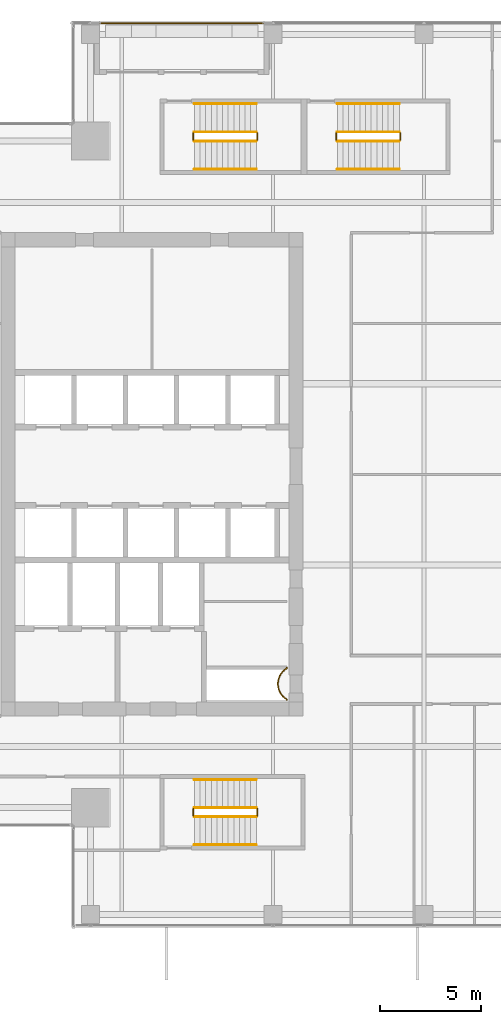
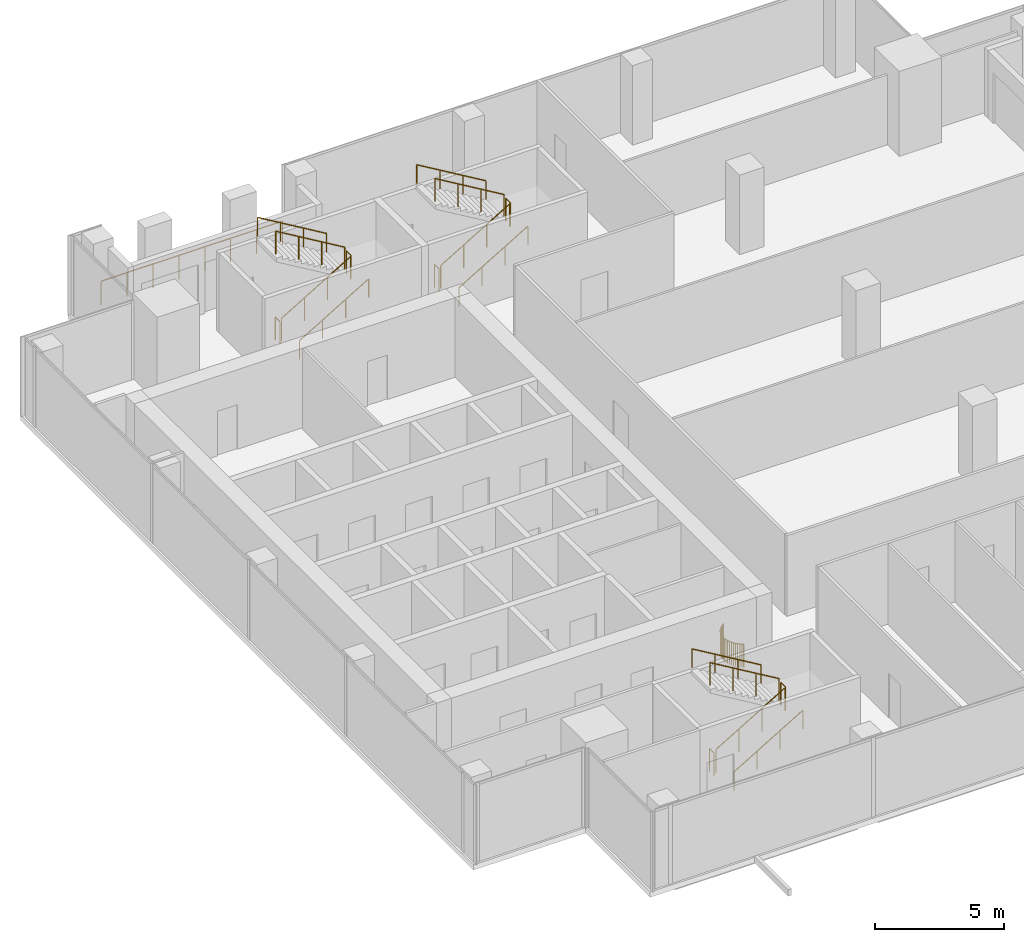
# One storey, part 32 of 34: 20 railings.
"""IFC4 building model written with IfcOpenShell, lengths in metres."""

from ifc_helpers import new_model, si_unit, direction, frame, origin, origin_2d, place, context, subcontext, project, spatial, circle, extrude, source, transform, mapped, material, type_object, element, save


model = new_model("IFC4")

# Units and contexts
model_context = context("Model", 3, precision=1e-05, world=origin(), true_north=direction((0.0, 1.0)))
body_context = subcontext(model_context, "Body", "Model", "MODEL_VIEW")
ifc_project = project(units=[si_unit("LENGTHUNIT", "METRE"), si_unit("AREAUNIT", "SQUARE_METRE"), si_unit("VOLUMEUNIT", "CUBIC_METRE"), si_unit("PLANEANGLEUNIT", "RADIAN"), si_unit("MASSUNIT", "GRAM", prefix="KILO")], contexts=[model_context])

# Site, building, storey
site_placement = place(None, origin())
site = spatial("IfcSite", under=ifc_project, at=site_placement, CompositionType="ELEMENT")
building_placement = place(site_placement, origin())
building = spatial("IfcBuilding", under=site, at=building_placement, Name="Khomas Fold Tower", CompositionType="ELEMENT")
storey_placement = place(building_placement, frame((0.0, 0.0, 254.199951171875)))
storey = spatial("IfcBuildingStorey", under=building, at=storey_placement, Name="L57", CompositionType="ELEMENT", Elevation=254.199951171875)

# Railings
ifc_material_1 = material(Name="Powder-coated steel", Category="steel")
railing_type_1 = type_object("IfcRailingType", Name="Balcony guard", PredefinedType="GUARDRAIL", material=ifc_material_1)
shared_shape_1 = source(origin(), body_context, "Body", "SweptSolid", [
    extrude(circle(Radius=0.02490234375, at=origin_2d()), frame((0.0, 0.0, 1.125), z_axis=(1.0, 0.0, 0.0), x_axis=(0.0, 1.0, 0.0)), (0.0, 0.0, 1.0), 8.090087890625),
    extrude(circle(Radius=0.02001953125, at=origin_2d()), origin(), (0.0, 0.0, 1.0), 1.099853515625),
    extrude(circle(Radius=0.02001953125, at=origin_2d()), frame((1.15576171875, 0.0, 0.0)), (0.0, 0.0, 1.0), 1.099853515625),
    extrude(circle(Radius=0.02001953125, at=origin_2d()), frame((2.3115234375, 0.0, 0.0)), (0.0, 0.0, 1.0), 1.099853515625),
    extrude(circle(Radius=0.02001953125, at=origin_2d()), frame((3.46728515625, 0.0, 0.0)), (0.0, 0.0, 1.0), 1.099853515625),
    extrude(circle(Radius=0.02001953125, at=origin_2d()), frame((4.622802734375, 0.0, 0.0)), (0.0, 0.0, 1.0), 1.099853515625),
    extrude(circle(Radius=0.02001953125, at=origin_2d()), frame((5.778564453125, 0.0, 0.0)), (0.0, 0.0, 1.0), 1.099853515625),
    extrude(circle(Radius=0.02001953125, at=origin_2d()), frame((6.934326171875, 0.0, 0.0)), (0.0, 0.0, 1.0), 1.099853515625),
    extrude(circle(Radius=0.02001953125, at=origin_2d()), frame((8.090087890625, 0.0, 0.0)), (0.0, 0.0, 1.0), 1.099853515625),
])
railing_1_placement = place(storey_placement, frame((10.929931640625, 49.39990234375, -0.044921875)))
element("IfcRailing", 1, at=railing_1_placement, inside=storey, type_object=railing_type_1, Name="Balcony guard BAL-L57-N1", PredefinedType="GUARDRAIL", context=body_context, shape_type="MappedRepresentation", body=[
    mapped(shared_shape_1, transform((0.0, 0.0, 0.0))),
])
ifc_material_2 = material(Name="Steel balustrade", Category="steel")
railing_type_2 = type_object("IfcRailingType", Name="Stair guard", PredefinedType="GUARDRAIL", material=ifc_material_2)
shared_shape_2 = source(origin(), body_context, "Body", "SweptSolid", [
    extrude(circle(Radius=0.02392578125, at=origin_2d()), frame((0.0, 0.0, 1.076171875), z_axis=(0.0, 1.0, 0.0), x_axis=(-1.0, 0.0, 0.0)), (0.0, 0.0, 1.0), 0.349853515625),
    extrude(circle(Radius=0.02099609375, at=origin_2d()), origin(), (0.0, 0.0, 1.0), 1.052001953125),
    extrude(circle(Radius=0.02099609375, at=origin_2d()), frame((0.0, 0.349853515625, 0.0)), (0.0, 0.0, 1.0), 1.052001953125),
])
for number, where, name in (
    (2, (18.72998046875, 43.60009765625, 2.0), "L57 ST1 stair guard 2"),
    (3, (15.550048828125, 43.60009765625, 0.0), "L57 ST1 stair guard 4"),
    (4, (18.72998046875, 10.050048828125, 2.0), "L57 ST2 stair guard 2"),
    (5, (15.550048828125, 10.050048828125, 0.0), "L57 ST2 stair guard 4"),
    (6, (25.830078125, 43.60009765625, 2.0), "L57 ST3 stair guard 2"),
    (7, (22.64990234375, 43.60009765625, 0.0), "L57 ST3 stair guard 4"),
):
    element("IfcRailing", number, at=place(storey_placement, frame(where)), inside=storey, type_object=railing_type_2, Name=name, PredefinedType="GUARDRAIL", context=body_context, shape_type="MappedRepresentation", body=[
        mapped(shared_shape_2, transform((0.0, 0.0, 0.0))),
    ])
shared_shape_3 = source(origin(), body_context, "Body", "SweptSolid", [
    extrude(circle(Radius=0.02392578125, at=origin_2d()), frame((0.0, 0.0, 1.076171875), z_axis=(0.859290745958, 0.0, 0.51148745235), x_axis=(0.0, 1.0, 0.0)), (0.0, 0.0, 1.0), 3.584228515625),
    extrude(circle(Radius=0.02099609375, at=origin_2d()), origin(), (0.0, 0.0, 1.0), 1.052001953125),
    extrude(circle(Radius=0.02099609375, at=origin_2d()), frame((1.026611328125, 0.0, 0.611083984375)), (0.0, 0.0, 1.0), 1.052001953125),
    extrude(circle(Radius=0.02099609375, at=origin_2d()), frame((2.05322265625, 0.0, 1.22216796875)), (0.0, 0.0, 1.0), 1.052001953125),
    extrude(circle(Radius=0.02099609375, at=origin_2d()), frame((3.079833984375, 0.0, 1.833251953125)), (0.0, 0.0, 1.0), 1.052001953125),
])
for number, where, name in (
    (8, (15.60009765625, 43.550048828125, 0.166748046875), "L57 ST1 stair guard 1"),
    (9, (15.60009765625, 10.0, 0.166748046875), "L57 ST2 stair guard 1"),
):
    element("IfcRailing", number, at=place(storey_placement, frame(where)), inside=storey, type_object=railing_type_2, Name=name, PredefinedType="GUARDRAIL", context=body_context, shape_type="MappedRepresentation", body=[
        mapped(shared_shape_3, transform((0.0, 0.0, 0.0))),
    ])
shared_shape_4 = source(origin(), body_context, "Body", "SweptSolid", [
    extrude(circle(Radius=0.02392578125, at=origin_2d()), frame((0.0, 0.0, 1.076171875), z_axis=(-0.859290745958, 0.0, 0.51148745235), x_axis=(0.0, -1.0, 0.0)), (0.0, 0.0, 1.0), 3.584228515625),
    extrude(circle(Radius=0.02099609375, at=origin_2d()), origin(), (0.0, 0.0, 1.0), 1.052001953125),
    extrude(circle(Radius=0.02099609375, at=origin_2d()), frame((-1.026611328125, 0.0, 0.611083984375)), (0.0, 0.0, 1.0), 1.052001953125),
    extrude(circle(Radius=0.02099609375, at=origin_2d()), frame((-2.05322265625, 0.0, 1.22216796875)), (0.0, 0.0, 1.0), 1.052001953125),
    extrude(circle(Radius=0.02099609375, at=origin_2d()), frame((-3.079833984375, 0.0, 1.833251953125)), (0.0, 0.0, 1.0), 1.052001953125),
])
for number, where, name in (
    (10, (18.679931640625, 44.0, 2.166748046875), "L57 ST1 stair guard 3"),
    (11, (18.679931640625, 10.449951171875, 2.166748046875), "L57 ST2 stair guard 3"),
):
    element("IfcRailing", number, at=place(storey_placement, frame(where)), inside=storey, type_object=railing_type_2, Name=name, PredefinedType="GUARDRAIL", context=body_context, shape_type="MappedRepresentation", body=[
        mapped(shared_shape_4, transform((0.0, 0.0, 0.0))),
    ])
ifc_material_3 = material(Name="Steel handrail", Category="steel")
railing_type_3 = type_object("IfcRailingType", Name="Stair handrail", PredefinedType="HANDRAIL", material=ifc_material_3)
shared_shape_5 = source(origin(), body_context, "Body", "SweptSolid", [
    extrude(circle(Radius=0.02392578125, at=origin_2d()), frame((0.0, 0.0, 0.8759765625), z_axis=(0.859290745958, 0.0, 0.51148745235), x_axis=(0.0, 1.0, 0.0)), (0.0, 0.0, 1.0), 3.584228515625),
    extrude(circle(Radius=0.02099609375, at=origin_2d()), origin(), (0.0, 0.0, 1.0), 0.851806640625),
    extrude(circle(Radius=0.02099609375, at=origin_2d()), frame((1.026611328125, 0.0, 0.611083984375)), (0.0, 0.0, 1.0), 0.851806640625),
    extrude(circle(Radius=0.02099609375, at=origin_2d()), frame((2.05322265625, 0.0, 1.22216796875)), (0.0, 0.0, 1.0), 0.851806640625),
    extrude(circle(Radius=0.02099609375, at=origin_2d()), frame((3.079833984375, 0.0, 1.833251953125)), (0.0, 0.0, 1.0), 0.851806640625),
])
for number, where, name in (
    (12, (15.60009765625, 42.14990234375, 0.166748046875), "L57 ST1 stair handrail 1"),
    (13, (15.60009765625, 8.60009765625, 0.166748046875), "L57 ST2 stair handrail 1"),
):
    element("IfcRailing", number, at=place(storey_placement, frame(where)), inside=storey, type_object=railing_type_3, Name=name, PredefinedType="HANDRAIL", context=body_context, shape_type="MappedRepresentation", body=[
        mapped(shared_shape_5, transform((0.0, 0.0, 0.0))),
    ])
shared_shape_6 = source(origin(), body_context, "Body", "SweptSolid", [
    extrude(circle(Radius=0.02392578125, at=origin_2d()), frame((0.0, 0.0, 0.8759765625), z_axis=(-0.859290745958, 0.0, 0.51148745235), x_axis=(0.0, -1.0, 0.0)), (0.0, 0.0, 1.0), 3.584228515625),
    extrude(circle(Radius=0.02099609375, at=origin_2d()), origin(), (0.0, 0.0, 1.0), 0.851806640625),
    extrude(circle(Radius=0.02099609375, at=origin_2d()), frame((-1.026611328125, 0.0, 0.611083984375)), (0.0, 0.0, 1.0), 0.851806640625),
    extrude(circle(Radius=0.02099609375, at=origin_2d()), frame((-2.05322265625, 0.0, 1.22216796875)), (0.0, 0.0, 1.0), 0.851806640625),
    extrude(circle(Radius=0.02099609375, at=origin_2d()), frame((-3.079833984375, 0.0, 1.833251953125)), (0.0, 0.0, 1.0), 0.851806640625),
])
for number, where, name in (
    (14, (18.679931640625, 45.39990234375, 2.166748046875), "L57 ST1 stair handrail 2"),
    (15, (18.679931640625, 11.85009765625, 2.166748046875), "L57 ST2 stair handrail 2"),
):
    element("IfcRailing", number, at=place(storey_placement, frame(where)), inside=storey, type_object=railing_type_3, Name=name, PredefinedType="HANDRAIL", context=body_context, shape_type="MappedRepresentation", body=[
        mapped(shared_shape_6, transform((0.0, 0.0, 0.0))),
    ])
shared_shape_7 = source(origin(), body_context, "Body", "SweptSolid", [
    extrude(circle(Radius=0.02392578125, at=origin_2d()), frame((0.0, 0.0, 1.076171875), z_axis=(0.859308565015, 0.0, 0.511457515432), x_axis=(0.0, 1.0, 0.0)), (0.0, 0.0, 1.0), 3.58447265625),
    extrude(circle(Radius=0.02099609375, at=origin_2d()), origin(), (0.0, 0.0, 1.0), 1.052001953125),
    extrude(circle(Radius=0.02099609375, at=origin_2d()), frame((1.026611328125, 0.0, 0.611083984375)), (0.0, 0.0, 1.0), 1.052001953125),
    extrude(circle(Radius=0.02099609375, at=origin_2d()), frame((2.053466796875, 0.0, 1.22216796875)), (0.0, 0.0, 1.0), 1.052001953125),
    extrude(circle(Radius=0.02099609375, at=origin_2d()), frame((3.080078125, 0.0, 1.833251953125)), (0.0, 0.0, 1.0), 1.052001953125),
])
railing_2_placement = place(storey_placement, frame((22.699951171875, 43.550048828125, 0.166748046875)))
element("IfcRailing", 16, at=railing_2_placement, inside=storey, type_object=railing_type_2, Name="L57 ST3 stair guard 1", PredefinedType="GUARDRAIL", context=body_context, shape_type="MappedRepresentation", body=[
    mapped(shared_shape_7, transform((0.0, 0.0, 0.0))),
])
shared_shape_8 = source(origin(), body_context, "Body", "SweptSolid", [
    extrude(circle(Radius=0.02392578125, at=origin_2d()), frame((0.0, 0.0, 1.076171875), z_axis=(-0.859308565015, 0.0, 0.511457515432), x_axis=(0.0, -1.0, 0.0)), (0.0, 0.0, 1.0), 3.58447265625),
    extrude(circle(Radius=0.02099609375, at=origin_2d()), origin(), (0.0, 0.0, 1.0), 1.052001953125),
    extrude(circle(Radius=0.02099609375, at=origin_2d()), frame((-1.026611328125, 0.0, 0.611083984375)), (0.0, 0.0, 1.0), 1.052001953125),
    extrude(circle(Radius=0.02099609375, at=origin_2d()), frame((-2.053466796875, 0.0, 1.22216796875)), (0.0, 0.0, 1.0), 1.052001953125),
    extrude(circle(Radius=0.02099609375, at=origin_2d()), frame((-3.080078125, 0.0, 1.833251953125)), (0.0, 0.0, 1.0), 1.052001953125),
])
railing_3_placement = place(storey_placement, frame((25.780029296875, 44.0, 2.166748046875)))
element("IfcRailing", 17, at=railing_3_placement, inside=storey, type_object=railing_type_2, Name="L57 ST3 stair guard 3", PredefinedType="GUARDRAIL", context=body_context, shape_type="MappedRepresentation", body=[
    mapped(shared_shape_8, transform((0.0, 0.0, 0.0))),
])
shared_shape_9 = source(origin(), body_context, "Body", "SweptSolid", [
    extrude(circle(Radius=0.02392578125, at=origin_2d()), frame((0.0, 0.0, 0.8759765625), z_axis=(0.859308565015, 0.0, 0.511457515432), x_axis=(0.0, 1.0, 0.0)), (0.0, 0.0, 1.0), 3.58447265625),
    extrude(circle(Radius=0.02099609375, at=origin_2d()), origin(), (0.0, 0.0, 1.0), 0.851806640625),
    extrude(circle(Radius=0.02099609375, at=origin_2d()), frame((1.026611328125, 0.0, 0.611083984375)), (0.0, 0.0, 1.0), 0.851806640625),
    extrude(circle(Radius=0.02099609375, at=origin_2d()), frame((2.053466796875, 0.0, 1.22216796875)), (0.0, 0.0, 1.0), 0.851806640625),
    extrude(circle(Radius=0.02099609375, at=origin_2d()), frame((3.080078125, 0.0, 1.833251953125)), (0.0, 0.0, 1.0), 0.851806640625),
])
railing_4_placement = place(storey_placement, frame((22.699951171875, 42.14990234375, 0.166748046875)))
element("IfcRailing", 18, at=railing_4_placement, inside=storey, type_object=railing_type_3, Name="L57 ST3 stair handrail 1", PredefinedType="HANDRAIL", context=body_context, shape_type="MappedRepresentation", body=[
    mapped(shared_shape_9, transform((0.0, 0.0, 0.0))),
])
shared_shape_10 = source(origin(), body_context, "Body", "SweptSolid", [
    extrude(circle(Radius=0.02392578125, at=origin_2d()), frame((0.0, 0.0, 0.8759765625), z_axis=(-0.859308565015, 0.0, 0.511457515432), x_axis=(0.0, -1.0, 0.0)), (0.0, 0.0, 1.0), 3.58447265625),
    extrude(circle(Radius=0.02099609375, at=origin_2d()), origin(), (0.0, 0.0, 1.0), 0.851806640625),
    extrude(circle(Radius=0.02099609375, at=origin_2d()), frame((-1.026611328125, 0.0, 0.611083984375)), (0.0, 0.0, 1.0), 0.851806640625),
    extrude(circle(Radius=0.02099609375, at=origin_2d()), frame((-2.053466796875, 0.0, 1.22216796875)), (0.0, 0.0, 1.0), 0.851806640625),
    extrude(circle(Radius=0.02099609375, at=origin_2d()), frame((-3.080078125, 0.0, 1.833251953125)), (0.0, 0.0, 1.0), 0.851806640625),
])
railing_5_placement = place(storey_placement, frame((25.780029296875, 45.39990234375, 2.166748046875)))
element("IfcRailing", 19, at=railing_5_placement, inside=storey, type_object=railing_type_3, Name="L57 ST3 stair handrail 2", PredefinedType="HANDRAIL", context=body_context, shape_type="MappedRepresentation", body=[
    mapped(shared_shape_10, transform((0.0, 0.0, 0.0))),
])
ifc_material_4 = material(Name="Steel balustrade", Category="steel")
railing_type_4 = type_object("IfcRailingType", Name="Shaft guard", PredefinedType="GUARDRAIL", material=ifc_material_4)
shared_shape_11 = source(origin(), body_context, "Body", "SweptSolid", [
    extrude(circle(Radius=0.02490234375, at=origin_2d()), frame((0.0, 0.0, 1.0751953125), z_axis=(1.0, 0.0, 0.0), x_axis=(0.0, 1.0, 0.0)), (0.0, 0.0, 1.0), 0.02197265625),
    extrude(circle(Radius=0.02490234375, at=origin_2d()), frame((0.02197265625, 0.0, 1.0751953125), z_axis=(0.0, -1.0, 0.0), x_axis=(1.0, 0.0, 0.0)), (0.0, 0.0, 1.0), 0.021484375),
    extrude(circle(Radius=0.02490234375, at=origin_2d()), frame((0.02197265625, -0.021484375, 1.0751953125), z_axis=(-0.857492925713, -0.514495755428, 0.0), x_axis=(0.514495755428, -0.857492925713, 0.0)), (0.0, 0.0, 1.0), 0.058349609375),
    extrude(circle(Radius=0.02490234375, at=origin_2d()), frame((-0.028076171875, -0.051513671875, 1.0751953125), z_axis=(-0.801986734315, -0.597341843489, 0.0), x_axis=(0.597341843489, -0.801986734315, 0.0)), (0.0, 0.0, 1.0), 0.08837890625),
    extrude(circle(Radius=0.02490234375, at=origin_2d()), frame((-0.098876953125, -0.104248046875, 1.0751953125), z_axis=(-0.740814996175, -0.671709119666, 0.0), x_axis=(0.671709119666, -0.740814996175, 0.0)), (0.0, 0.0, 1.0), 0.08837890625),
    extrude(circle(Radius=0.02490234375, at=origin_2d()), frame((-0.164306640625, -0.16357421875, 1.0751953125), z_axis=(-0.671709119666, -0.740814996175, 0.0), x_axis=(0.740814996175, -0.671709119666, 0.0)), (0.0, 0.0, 1.0), 0.08837890625),
    extrude(circle(Radius=0.02490234375, at=origin_2d()), frame((-0.2236328125, -0.22900390625, 1.0751953125), z_axis=(-0.597341843489, -0.801986734315, 0.0), x_axis=(0.801986734315, -0.597341843489, 0.0)), (0.0, 0.0, 1.0), 0.08837890625),
    extrude(circle(Radius=0.02490234375, at=origin_2d()), frame((-0.2763671875, -0.2998046875, 1.0751953125), z_axis=(-0.514495755428, -0.857492925713, 0.0), x_axis=(0.857492925713, -0.514495755428, 0.0)), (0.0, 0.0, 1.0), 0.08837890625),
    extrude(circle(Radius=0.02490234375, at=origin_2d()), frame((-0.32177734375, -0.37548828125, 1.0751953125), z_axis=(-0.424999439989, -0.905193612444, 0.0), x_axis=(0.905193612444, -0.424999439989, 0.0)), (0.0, 0.0, 1.0), 0.08837890625),
    extrude(circle(Radius=0.02490234375, at=origin_2d()), frame((-0.359375, -0.45556640625, 1.0751953125), z_axis=(-0.337738989679, -0.941239807302, 0.0), x_axis=(0.941239807302, -0.337738989679, 0.0)), (0.0, 0.0, 1.0), 0.088134765625),
    extrude(circle(Radius=0.02490234375, at=origin_2d()), frame((-0.38916015625, -0.53857421875, 1.0751953125), z_axis=(-0.243185799972, -0.969979724887, 0.0), x_axis=(0.969979724887, -0.243185799972, 0.0)), (0.0, 0.0, 1.0), 0.08837890625),
    extrude(circle(Radius=0.02490234375, at=origin_2d()), frame((-0.41064453125, -0.624267578125, 1.0751953125), z_axis=(-0.146448518259, -0.989218293148, 0.0), x_axis=(0.989218293148, -0.146448518259, 0.0)), (0.0, 0.0, 1.0), 0.08837890625),
    extrude(circle(Radius=0.02490234375, at=origin_2d()), frame((-0.423583984375, -0.711669921875, 1.0751953125), z_axis=(-0.049799629132, -0.998759228712, 0.0), x_axis=(0.998759228712, -0.049799629132, 0.0)), (0.0, 0.0, 1.0), 0.088134765625),
    extrude(circle(Radius=0.02490234375, at=origin_2d()), frame((-0.427978515625, -0.7998046875, 1.0751953125), z_axis=(0.049662400856, -0.998766061669, 0.0), x_axis=(0.998766061669, 0.049662400856, 0.0)), (0.0, 0.0, 1.0), 0.08837890625),
    extrude(circle(Radius=0.02490234375, at=origin_2d()), frame((-0.423583984375, -0.88818359375, 1.0751953125), z_axis=(0.146448518259, -0.989218293148, 0.0), x_axis=(0.989218293148, 0.146448518259, 0.0)), (0.0, 0.0, 1.0), 0.08837890625),
    extrude(circle(Radius=0.02490234375, at=origin_2d()), frame((-0.41064453125, -0.9755859375, 1.0751953125), z_axis=(0.243185799972, -0.969979724887, 0.0), x_axis=(0.969979724887, 0.243185799972, 0.0)), (0.0, 0.0, 1.0), 0.08837890625),
    extrude(circle(Radius=0.02490234375, at=origin_2d()), frame((-0.38916015625, -1.061279296875, 1.0751953125), z_axis=(0.337738989679, -0.941239807302, 0.0), x_axis=(0.941239807302, 0.337738989679, 0.0)), (0.0, 0.0, 1.0), 0.088134765625),
    extrude(circle(Radius=0.02490234375, at=origin_2d()), frame((-0.359375, -1.144287109375, 1.0751953125), z_axis=(0.426063493689, -0.904693262573, 0.0), x_axis=(0.904693262573, 0.426063493689, 0.0)), (0.0, 0.0, 1.0), 0.088134765625),
    extrude(circle(Radius=0.02490234375, at=origin_2d()), frame((-0.32177734375, -1.22412109375, 1.0751953125), z_axis=(0.514495755428, -0.857492925713, 0.0), x_axis=(0.857492925713, 0.514495755428, 0.0)), (0.0, 0.0, 1.0), 0.08837890625),
    extrude(circle(Radius=0.02490234375, at=origin_2d()), frame((-0.2763671875, -1.2998046875, 1.0751953125), z_axis=(0.596019138224, -0.802970227885, 0.0), x_axis=(0.802970227885, 0.596019138224, 0.0)), (0.0, 0.0, 1.0), 0.08837890625),
    extrude(circle(Radius=0.02490234375, at=origin_2d()), frame((-0.2236328125, -1.370849609375, 1.0751953125), z_axis=(0.671709119666, -0.740814996175, 0.0), x_axis=(0.740814996175, 0.671709119666, 0.0)), (0.0, 0.0, 1.0), 0.08837890625),
    extrude(circle(Radius=0.02490234375, at=origin_2d()), frame((-0.164306640625, -1.436279296875, 1.0751953125), z_axis=(0.740814996175, -0.671709119666, 0.0), x_axis=(0.671709119666, 0.740814996175, 0.0)), (0.0, 0.0, 1.0), 0.08837890625),
    extrude(circle(Radius=0.02490234375, at=origin_2d()), frame((-0.098876953125, -1.49560546875, 1.0751953125), z_axis=(0.803311771616, -0.595558727233, 0.0), x_axis=(0.595558727233, 0.803311771616, 0.0)), (0.0, 0.0, 1.0), 0.088134765625),
    extrude(circle(Radius=0.02490234375, at=origin_2d()), frame((-0.028076171875, -1.548095703125, 1.0751953125), z_axis=(0.857492925713, -0.514495755428, 0.0), x_axis=(0.514495755428, 0.857492925713, 0.0)), (0.0, 0.0, 1.0), 0.058349609375),
    extrude(circle(Radius=0.02490234375, at=origin_2d()), frame((0.02197265625, -1.578125, 1.0751953125), z_axis=(0.0, -1.0, 0.0), x_axis=(1.0, 0.0, 0.0)), (0.0, 0.0, 1.0), 0.021728515625),
    extrude(circle(Radius=0.02490234375, at=origin_2d()), frame((0.02197265625, -1.599853515625, 1.0751953125), z_axis=(-1.0, 0.0, 0.0), x_axis=(0.0, -1.0, 0.0)), (0.0, 0.0, 1.0), 0.02197265625),
    extrude(circle(Radius=0.02001953125, at=origin_2d()), origin(), (0.0, 0.0, 1.0), 1.050048828125),
    extrude(circle(Radius=0.02001953125, at=origin_2d()), frame((0.02197265625, 0.0, 0.0)), (0.0, 0.0, 1.0), 1.050048828125),
    extrude(circle(Radius=0.02001953125, at=origin_2d()), frame((0.02197265625, -0.021484375, 0.0)), (0.0, 0.0, 1.0), 1.050048828125),
    extrude(circle(Radius=0.02001953125, at=origin_2d()), frame((-0.028076171875, -0.051513671875, 0.0)), (0.0, 0.0, 1.0), 1.050048828125),
    extrude(circle(Radius=0.02001953125, at=origin_2d()), frame((-0.098876953125, -0.104248046875, 0.0)), (0.0, 0.0, 1.0), 1.050048828125),
    extrude(circle(Radius=0.02001953125, at=origin_2d()), frame((-0.164306640625, -0.16357421875, 0.0)), (0.0, 0.0, 1.0), 1.050048828125),
    extrude(circle(Radius=0.02001953125, at=origin_2d()), frame((-0.2236328125, -0.22900390625, 0.0)), (0.0, 0.0, 1.0), 1.050048828125),
    extrude(circle(Radius=0.02001953125, at=origin_2d()), frame((-0.2763671875, -0.2998046875, 0.0)), (0.0, 0.0, 1.0), 1.050048828125),
    extrude(circle(Radius=0.02001953125, at=origin_2d()), frame((-0.32177734375, -0.37548828125, 0.0)), (0.0, 0.0, 1.0), 1.050048828125),
    extrude(circle(Radius=0.02001953125, at=origin_2d()), frame((-0.359375, -0.45556640625, 0.0)), (0.0, 0.0, 1.0), 1.050048828125),
    extrude(circle(Radius=0.02001953125, at=origin_2d()), frame((-0.38916015625, -0.53857421875, 0.0)), (0.0, 0.0, 1.0), 1.050048828125),
    extrude(circle(Radius=0.02001953125, at=origin_2d()), frame((-0.41064453125, -0.624267578125, 0.0)), (0.0, 0.0, 1.0), 1.050048828125),
    extrude(circle(Radius=0.02001953125, at=origin_2d()), frame((-0.423583984375, -0.711669921875, 0.0)), (0.0, 0.0, 1.0), 1.050048828125),
    extrude(circle(Radius=0.02001953125, at=origin_2d()), frame((-0.427978515625, -0.7998046875, 0.0)), (0.0, 0.0, 1.0), 1.050048828125),
    extrude(circle(Radius=0.02001953125, at=origin_2d()), frame((-0.423583984375, -0.88818359375, 0.0)), (0.0, 0.0, 1.0), 1.050048828125),
    extrude(circle(Radius=0.02001953125, at=origin_2d()), frame((-0.41064453125, -0.9755859375, 0.0)), (0.0, 0.0, 1.0), 1.050048828125),
    extrude(circle(Radius=0.02001953125, at=origin_2d()), frame((-0.38916015625, -1.061279296875, 0.0)), (0.0, 0.0, 1.0), 1.050048828125),
    extrude(circle(Radius=0.02001953125, at=origin_2d()), frame((-0.359375, -1.144287109375, 0.0)), (0.0, 0.0, 1.0), 1.050048828125),
    extrude(circle(Radius=0.02001953125, at=origin_2d()), frame((-0.32177734375, -1.22412109375, 0.0)), (0.0, 0.0, 1.0), 1.050048828125),
    extrude(circle(Radius=0.02001953125, at=origin_2d()), frame((-0.2763671875, -1.2998046875, 0.0)), (0.0, 0.0, 1.0), 1.050048828125),
    extrude(circle(Radius=0.02001953125, at=origin_2d()), frame((-0.2236328125, -1.370849609375, 0.0)), (0.0, 0.0, 1.0), 1.050048828125),
    extrude(circle(Radius=0.02001953125, at=origin_2d()), frame((-0.164306640625, -1.436279296875, 0.0)), (0.0, 0.0, 1.0), 1.050048828125),
    extrude(circle(Radius=0.02001953125, at=origin_2d()), frame((-0.098876953125, -1.49560546875, 0.0)), (0.0, 0.0, 1.0), 1.050048828125),
    extrude(circle(Radius=0.02001953125, at=origin_2d()), frame((-0.028076171875, -1.548095703125, 0.0)), (0.0, 0.0, 1.0), 1.050048828125),
    extrude(circle(Radius=0.02001953125, at=origin_2d()), frame((0.02197265625, -1.578125, 0.0)), (0.0, 0.0, 1.0), 1.050048828125),
    extrude(circle(Radius=0.02001953125, at=origin_2d()), frame((0.02197265625, -1.599853515625, 0.0)), (0.0, 0.0, 1.0), 1.050048828125),
    extrude(circle(Radius=0.02001953125, at=origin_2d()), frame((0.0, -1.599853515625, 0.0)), (0.0, 0.0, 1.0), 1.050048828125),
])
railing_6_placement = place(storey_placement, frame((20.177978515625, 17.39990234375, 0.0)))
element("IfcRailing", 20, at=railing_6_placement, inside=storey, type_object=railing_type_4, Name="Shaft guard L57 1", PredefinedType="GUARDRAIL", context=body_context, shape_type="MappedRepresentation", body=[
    mapped(shared_shape_11, transform((0.0, 0.0, 0.0))),
])

save(model, "model.ifc")
